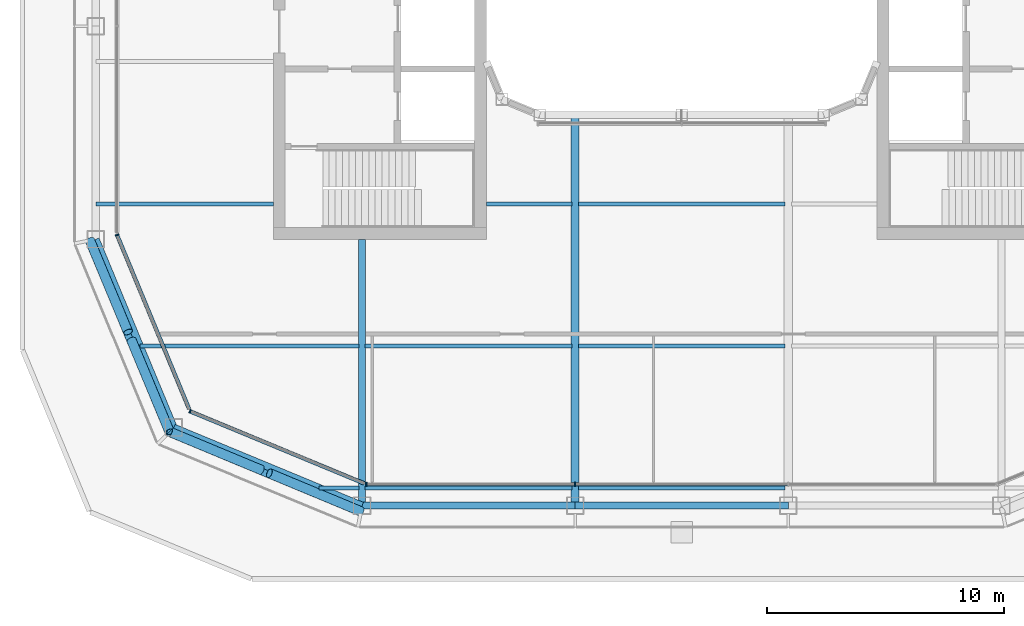
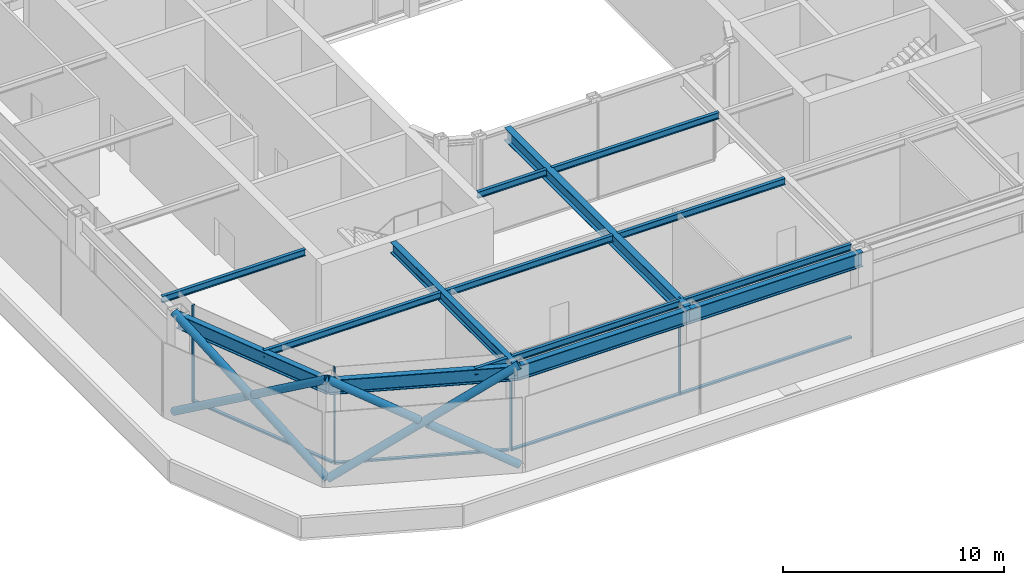
# One storey, part 2 of 17: 15 beams, 14 members, 3 elements without a shape of their own.
"""IFC4 building model written with IfcOpenShell, lengths in metres."""

import ifcopenshell
import ifcopenshell.guid

model = None  # the IFC model being written
_history = None  # IfcOwnerHistory: only IFC2X3 demands one
_inside = {}  # id of a spatial element -> (the spatial element, [elements in it])
_under = {}  # id of a project, library or spatial element -> (it, [spatial elements below it])
_declared = {}  # id of a project -> (the project, [libraries it declares])
_typed = {}  # id of a type object -> (the type object, [elements of that type])
_made_of = {}  # id of a material, layer set ... -> (it, [elements and type objects made of it])


def new_model(schema):
    """Start an empty IFC model of exactly this schema.

    Asked for "IFC4X3", IfcOpenShell would pick the latest addendum, in which some entities
    have other attributes; the version numbers below select the first issue.
    IFC2X3 requires an IfcOwnerHistory on every rooted entity: one is made here for all.
    """
    global model, _history
    if schema == "IFC4X3":
        model = ifcopenshell.file(schema_version=(4, 3, 0, 0))
    else:
        model = ifcopenshell.file(schema=schema)
    _inside.clear()
    _under.clear()
    _declared.clear()
    _typed.clear()
    _made_of.clear()
    _history = None
    if model.schema == "IFC2X3":
        org = make("IfcOrganization", Name="unknown")
        user = make(
            "IfcPersonAndOrganization",
            ThePerson=make("IfcPerson", FamilyName="unknown"),
            TheOrganization=org,
        )
        app = make(
            "IfcApplication",
            ApplicationDeveloper=org,
            Version="unknown",
            ApplicationFullName="unknown",
            ApplicationIdentifier="unknown",
        )
        _history = make(
            "IfcOwnerHistory",
            OwningUser=user,
            OwningApplication=app,
            ChangeAction="ADDED",
            CreationDate=0,
        )
    return model


def make(cls, **values):
    """One entity of the class cls with the attributes given. An attribute that is None is left unset."""
    return model.create_entity(
        cls, **{name: value for name, value in values.items() if value is not None}
    )


def rooted(cls, **values):
    """An entity with a GlobalId (a new one), such as an element, a storey or a relation."""
    return make(cls, GlobalId=ifcopenshell.guid.new(), OwnerHistory=_history, **values)


def si_unit(unit_type, name, prefix=None):
    """IfcSIUnit, for example si_unit("LENGTHUNIT", "METRE", prefix="MILLI")."""
    return make("IfcSIUnit", UnitType=unit_type, Prefix=prefix, Name=name)


def assignment(units):
    """IfcUnitAssignment: the units of a project."""
    return None if units is None else make("IfcUnitAssignment", Units=units)


def point(xyz):
    """IfcCartesianPoint."""
    return None if xyz is None else make("IfcCartesianPoint", Coordinates=xyz)


def direction(xyz):
    """IfcDirection."""
    return None if xyz is None else make("IfcDirection", DirectionRatios=xyz)


def frame(location, z_axis=None, x_axis=None):
    """IfcAxis2Placement3D, a coordinate frame: its origin and axes. An axis left out is left unset."""
    return make(
        "IfcAxis2Placement3D",
        Location=point(location),
        Axis=direction(z_axis),
        RefDirection=direction(x_axis),
    )


def frame_2d(location, x_axis=None):
    """IfcAxis2Placement2D, a coordinate frame in the plane: its origin and x axis."""
    return make(
        "IfcAxis2Placement2D", Location=point(location), RefDirection=direction(x_axis)
    )


def origin():
    """The frame at (0, 0, 0) with its axes left unset."""
    return frame((0.0, 0.0, 0.0))


def origin_2d():
    """The frame at (0, 0) in the plane with its x axis left unset."""
    return frame_2d((0.0, 0.0))


def place(relative_to, where):
    """IfcLocalPlacement: puts the frame where relative to a parent placement (None: the world)."""
    return make(
        "IfcLocalPlacement", PlacementRelTo=relative_to, RelativePlacement=where
    )


def context(
    kind, dimensions, precision=None, world=None, true_north=None, identifier=None
):
    """IfcGeometricRepresentationContext, for example the 3D "Model" context."""
    return make(
        "IfcGeometricRepresentationContext",
        ContextIdentifier=identifier,
        ContextType=kind,
        CoordinateSpaceDimension=dimensions,
        Precision=precision,
        WorldCoordinateSystem=world,
        TrueNorth=true_north,
    )


def subcontext(parent, identifier, kind, view, scale=None):
    """IfcGeometricRepresentationSubContext, for example "Body" below "Model"."""
    return make(
        "IfcGeometricRepresentationSubContext",
        ContextIdentifier=identifier,
        ContextType=kind,
        ParentContext=parent,
        TargetScale=scale,
        TargetView=view,
    )


def project(units=None, contexts=None):
    """IfcProject with its units and contexts."""
    return rooted(
        "IfcProject",
        Name="project",
        RepresentationContexts=contexts,
        UnitsInContext=assignment(units),
    )


def spatial(cls, under=None, at=None, **own):
    """A site, building, storey or space (cls), placed at a placement, below another one or the project."""
    s = rooted(cls, ObjectPlacement=at, **own)
    if under is not None:
        _under.setdefault(under.id(), (under, []))[1].append(s)
    return s


def profile(cls, at=None, kind="AREA", **sizes):
    """A parametric profile (cls). Its sizes go by their IFC names, for example OverallWidth=200.0."""
    return make(cls, ProfileType=kind, Position=at, **sizes)


def rectangle(**sizes):
    """IfcRectangleProfileDef."""
    return profile("IfcRectangleProfileDef", **sizes)


def hollow_circle(**sizes):
    """IfcCircleHollowProfileDef."""
    return profile("IfcCircleHollowProfileDef", **sizes)


def i_section(**sizes):
    """IfcIShapeProfileDef."""
    return profile("IfcIShapeProfileDef", **sizes)


def extrude(swept, where, along, depth):
    """IfcExtrudedAreaSolid: the profile swept, set in the frame where, extruded along a direction by depth."""
    return make(
        "IfcExtrudedAreaSolid",
        SweptArea=swept,
        Position=where,
        ExtrudedDirection=direction(along),
        Depth=depth,
    )


def shape(context_of_items, identifier, shape_type, items):
    """IfcShapeRepresentation: the items that make up one representation, for example the "Body"."""
    return make(
        "IfcShapeRepresentation",
        ContextOfItems=context_of_items,
        RepresentationIdentifier=identifier,
        RepresentationType=shape_type,
        Items=items,
    )


def material(Name=None, Category=None):
    """IfcMaterial."""
    return make("IfcMaterial", Name=Name, Category=Category)


def layer(
    of_material, thickness, ventilated=None, Name=None, Category=None, Priority=None
):
    """IfcMaterialLayer: one layer of a wall or slab, of a material (None: an air gap)."""
    return make(
        "IfcMaterialLayer",
        Material=of_material,
        LayerThickness=thickness,
        IsVentilated=ventilated,
        Name=Name,
        Category=Category,
        Priority=Priority,
    )


def layer_set(layers, Name=None):
    """IfcMaterialLayerSet."""
    return make("IfcMaterialLayerSet", MaterialLayers=layers, LayerSetName=Name)


def material_profile(
    of_material, cross_section, Name=None, Category=None, Priority=None
):
    """IfcMaterialProfile: a cross section and its material."""
    return make(
        "IfcMaterialProfile",
        Name=Name,
        Material=of_material,
        Profile=cross_section,
        Priority=Priority,
        Category=Category,
    )


def profile_set(profiles, Name=None, composite=None):
    """IfcMaterialProfileSet."""
    return make(
        "IfcMaterialProfileSet",
        Name=Name,
        MaterialProfiles=profiles,
        CompositeProfile=composite,
    )


def made_of(thing, what):
    """Note that an element or type object is made of a material, layer set ...; save() writes the relation."""
    if what is not None:
        _made_of.setdefault(what.id(), (what, []))[1].append(thing)
    return thing


def type_object(cls, material=None, **own):
    """A type object (cls), such as IfcWallType, which elements share."""
    return made_of(rooted(cls, **own), material)


def element(
    cls,
    number,
    at=None,
    inside=None,
    cuts=None,
    type_object=None,
    material=None,
    context=None,
    identifier="Body",
    shape_type=None,
    held_by="IfcProductDefinitionShape",
    body=None,
    shapes=None,
    **own,
):
    """One element of the class cls, such as IfcWall. Its Tag is "e" and its number.

    at: its placement. inside: the storey or other place that contains it. cuts: it is an
    opening in that element (IfcRelVoidsElement). A single representation is given by context,
    identifier, shape_type and body (its items); several are given by shapes. held_by: the class
    of the entity that holds the representations. save() writes the other relations.
    """
    e = rooted(cls, Tag="e%d" % number, ObjectPlacement=at, **own)
    if body is not None:
        shapes = [shape(context, identifier, shape_type, body)]
    if shapes is not None:
        e.Representation = make(held_by, Representations=shapes)
    if inside is not None:
        _inside.setdefault(inside.id(), (inside, []))[1].append(e)
    if cuts is not None:
        rooted(
            "IfcRelVoidsElement", RelatingBuildingElement=cuts, RelatedOpeningElement=e
        )
    if type_object is not None:
        _typed.setdefault(type_object.id(), (type_object, []))[1].append(e)
    return made_of(e, material)


def aggregate(whole, parts):
    """IfcRelAggregates: a whole, such as a stair, and the parts it consists of."""
    return rooted("IfcRelAggregates", RelatingObject=whole, RelatedObjects=parts)


def save(model, path):
    """Write the relations noted so far, then the file.

    IfcRelAggregates (storeys below a building ...), IfcRelContainedInSpatialStructure (elements
    in a storey), IfcRelDefinesByType, IfcRelAssociatesMaterial and IfcRelDeclares: one each for
    every whole, place, type object, material and project.
    """
    for whole, parts in _under.values():
        aggregate(whole, parts)
    for where, things in _inside.values():
        rooted(
            "IfcRelContainedInSpatialStructure",
            RelatedElements=things,
            RelatingStructure=where,
        )
    for kind, things in _typed.values():
        rooted("IfcRelDefinesByType", RelatedObjects=things, RelatingType=kind)
    for what, things in _made_of.values():
        rooted("IfcRelAssociatesMaterial", RelatedObjects=things, RelatingMaterial=what)
    for by, libraries in _declared.values():
        rooted("IfcRelDeclares", RelatingContext=by, RelatedDefinitions=libraries)
    model.write(path)


model = new_model("IFC4")

# Units and contexts
model_context = context("Model", 3, precision=1e-05, world=origin(), true_north=direction((0.0, 1.0)))
body_context = subcontext(model_context, "Body", "Model", "MODEL_VIEW")
ifc_project = project(units=[si_unit("LENGTHUNIT", "METRE"), si_unit("AREAUNIT", "SQUARE_METRE"), si_unit("VOLUMEUNIT", "CUBIC_METRE"), si_unit("PLANEANGLEUNIT", "RADIAN"), si_unit("MASSUNIT", "GRAM", prefix="KILO")], contexts=[model_context])

# Site, building, storey
site_placement = place(None, origin())
site = spatial("IfcSite", under=ifc_project, at=site_placement, CompositionType="ELEMENT")
building_placement = place(site_placement, origin())
building = spatial("IfcBuilding", under=site, at=building_placement, Name="Siwar Civic Tower", CompositionType="ELEMENT")
storey_placement = place(building_placement, frame((0.0, 0.0, 284.199951171875)))
storey = spatial("IfcBuildingStorey", under=building, at=storey_placement, Name="L61", CompositionType="ELEMENT", Elevation=284.199951171875)

# Curtain wall, members
ifc_material_1 = material(Name="Aluminium and glass", Category="aluminium")
ifc_layer_1 = layer(ifc_material_1, 0.159912109375)
ifc_layer_set_1 = layer_set([ifc_layer_1], Name="Aluminium and glass")
curtain_wall_type_1 = type_object("IfcCurtainWallType", Name="ENV-CW-D", PredefinedType="NOTDEFINED", material=ifc_layer_set_1)
curtain_wall_1_placement = place(storey_placement, origin())
curtain_wall_1 = element("IfcCurtainWall", 1, at=curtain_wall_1_placement, inside=storey, type_object=curtain_wall_type_1, Name="Curtain wall D S", PredefinedType="NOTDEFINED")
ifc_material_2 = material(Name="Aluminium 6063-T6", Category="aluminium")
ifc_material_profile_1 = material_profile(ifc_material_2, rectangle(XDim=0.159912109375, YDim=0.06005859375, at=origin_2d()), Name="AL 160x60")
ifc_profile_set_1 = profile_set([ifc_material_profile_1], Name="Aluminium 6063-T6")
member_type_1 = type_object("IfcMemberType", Name="ENV-MULLION-D", PredefinedType="MULLION", material=ifc_profile_set_1)
member_1_placement = place(storey_placement, frame((-13.321044921875, -23.85009765625, 0.0), z_axis=(0.0, 0.0, 1.0), x_axis=(0.0, 1.0, 0.0)))
member_1 = element("IfcMember", 2, at=member_1_placement, type_object=member_type_1, Name="Mullion D S 1", PredefinedType="MULLION", context=body_context, shape_type="SweptSolid", body=[
    extrude(rectangle(XDim=0.159912109375, YDim=0.06005859375, at=origin_2d()), origin(), (0.0, 0.0, 1.0), 5.35009765625),
])
member_2_placement = place(storey_placement, frame((-4.5, -23.85009765625, 0.0), z_axis=(0.0, 0.0, 1.0), x_axis=(0.0, 1.0, 0.0)))
member_2 = element("IfcMember", 3, at=member_2_placement, type_object=member_type_1, Name="Mullion D S 2", PredefinedType="MULLION", context=body_context, shape_type="SweptSolid", body=[
    extrude(rectangle(XDim=0.159912109375, YDim=0.06005859375, at=origin_2d()), origin(), (0.0, 0.0, 1.0), 5.35009765625),
])

# Curtain wall, member
ifc_material_3 = material(Name="Aluminium clad insulated panel", Category="aluminium")
ifc_layer_2 = layer(ifc_material_3, 0.159912109375)
ifc_layer_set_2 = layer_set([ifc_layer_2], Name="Aluminium clad insulated panel")
curtain_wall_type_2 = type_object("IfcCurtainWallType", Name="ENV-CW-DX", PredefinedType="NOTDEFINED", material=ifc_layer_set_2)
curtain_wall_2_placement = place(storey_placement, origin())
curtain_wall_2 = element("IfcCurtainWall", 4, at=curtain_wall_2_placement, inside=storey, type_object=curtain_wall_type_2, Name="Curtain wall D SW1", PredefinedType="NOTDEFINED")
member_3_placement = place(storey_placement, frame((-23.85009765625, -13.321044921875, 0.0), z_axis=(0.0, 0.0, 1.0), x_axis=(0.923879532511, 0.382683432365, 0.0)))
member_3 = element("IfcMember", 5, at=member_3_placement, type_object=member_type_1, Name="Mullion D SW1 1", PredefinedType="MULLION", context=body_context, shape_type="SweptSolid", body=[
    extrude(rectangle(XDim=0.159912109375, YDim=0.06005859375, at=origin_2d()), origin(), (0.0, 0.0, 1.0), 5.35009765625),
])

curtain_wall_3_placement = place(storey_placement, origin())
curtain_wall_3 = element("IfcCurtainWall", 6, at=curtain_wall_3_placement, inside=storey, type_object=curtain_wall_type_2, Name="Curtain wall D SW2", PredefinedType="NOTDEFINED")
member_4_placement = place(storey_placement, frame((-20.76611328125, -20.76611328125, 0.0), z_axis=(0.0, 0.0, 1.0), x_axis=(0.382683432365, 0.923879532511, 0.0)))
member_4 = element("IfcMember", 7, at=member_4_placement, type_object=member_type_1, Name="Mullion D SW2 1", PredefinedType="MULLION", context=body_context, shape_type="SweptSolid", body=[
    extrude(rectangle(XDim=0.159912109375, YDim=0.06005859375, at=origin_2d()), origin(), (0.0, 0.0, 1.0), 5.35009765625),
])

# Member
ifc_material_4 = material(Name="Aluminium 6063-T6", Category="aluminium")
ifc_material_profile_2 = material_profile(ifc_material_4, rectangle(XDim=0.159912109375, YDim=0.10009765625, at=origin_2d()), Name="AL 160x100")
ifc_profile_set_2 = profile_set([ifc_material_profile_2], Name="Aluminium 6063-T6")
member_type_2 = type_object("IfcMemberType", Name="ENV-TRANSOM-D", PredefinedType="USERDEFINED", material=ifc_profile_set_2)
member_5_placement = place(storey_placement, frame((-13.291015625, -23.85009765625, 0.050048828125), z_axis=(1.0, 0.0, 0.0), x_axis=(0.0, 1.0, 0.0)))
member_5 = element("IfcMember", 8, at=member_5_placement, type_object=member_type_2, Name="Transom D S 1", ObjectType="TRANSOM", PredefinedType="USERDEFINED", context=body_context, shape_type="SweptSolid", body=[
    extrude(rectangle(XDim=0.159912109375, YDim=0.10009765625, at=origin_2d()), origin(), (0.0, 0.0, 1.0), 8.760986328125),
])

member_6_placement = place(storey_placement, frame((-4.469970703125, -23.85009765625, 0.050048828125), z_axis=(1.0, 0.0, 0.0), x_axis=(0.0, 1.0, 0.0)))
member_6 = element("IfcMember", 9, at=member_6_placement, type_object=member_type_2, Name="Transom D S 2", ObjectType="TRANSOM", PredefinedType="USERDEFINED", context=body_context, shape_type="SweptSolid", body=[
    extrude(rectangle(XDim=0.159912109375, YDim=0.10009765625, at=origin_2d()), origin(), (0.0, 0.0, 1.0), 8.93994140625),
])

aggregate(curtain_wall_1, [member_1, member_2, member_5, member_6])

member_7_placement = place(storey_placement, frame((-23.838623046875, -13.3486328125, 0.050048828125), z_axis=(0.382699790424, -0.923872756612, 0.0), x_axis=(0.923872756612, 0.382699790424, 0.0)))
member_7 = element("IfcMember", 10, at=member_7_placement, type_object=member_type_2, Name="Transom D SW1 1", ObjectType="TRANSOM", PredefinedType="USERDEFINED", context=body_context, shape_type="SweptSolid", body=[
    extrude(rectangle(XDim=0.159912109375, YDim=0.10009765625, at=origin_2d()), origin(), (0.0, 0.0, 1.0), 7.930908203125),
])

aggregate(curtain_wall_2, [member_3, member_7])

member_8_placement = place(storey_placement, frame((-20.738525390625, -20.777587890625, 0.050048828125), z_axis=(0.923883640343, -0.382673515031, 0.0), x_axis=(0.382673515031, 0.923883640343, 0.0)))
member_8 = element("IfcMember", 11, at=member_8_placement, type_object=member_type_2, Name="Transom D SW2 1", ObjectType="TRANSOM", PredefinedType="USERDEFINED", context=body_context, shape_type="SweptSolid", body=[
    extrude(rectangle(XDim=0.159912109375, YDim=0.10009765625, at=origin_2d()), origin(), (0.0, 0.0, 1.0), 7.930908203125),
])

aggregate(curtain_wall_3, [member_4, member_8])

# Members
ifc_material_5 = material(Name="Steel S355", Category="steel")
ifc_material_profile_3 = material_profile(ifc_material_5, hollow_circle(Radius=0.203125, WallThickness=0.01611328125, at=origin_2d()), Name="CHS406.4x16")
ifc_profile_set_3 = profile_set([ifc_material_profile_3], Name="Steel S355")
member_type_3 = type_object("IfcMemberType", Name="STR-BR-CHS406.4x16", PredefinedType="BRACE", material=ifc_profile_set_3)
member_9_placement = place(storey_placement, frame((-21.6318359375, -21.6318359375, 0.0), z_axis=(0.781791416726, -0.325297769627, 0.531961974025), x_axis=(0.384163874976, 0.923264922524, 0.0)))
element("IfcMember", 12, at=member_9_placement, inside=storey, type_object=member_type_3, Name="L61/brc/DSW1-0-0-1", PredefinedType="BRACE", context=body_context, shape_type="SweptSolid", body=[
    extrude(hollow_circle(Radius=0.203125, WallThickness=0.01611328125, at=origin_2d()), origin(), (0.0, 0.0, 1.0), 10.339111328125),
])
for number, where, z_axis, x_axis, name in (
    (13, (-13.548828125, -24.9951171875, 0.0), (-0.78176721637, 0.325296461459, 0.53199833794), (-0.38417269508, -0.923261252493, 0.0), "L61/brc/DSW1-0-0-2"),
    (14, (-17.7626953125, -23.24169921875, 2.867431640625), (-0.781806913569, 0.325292452554, 0.531942450089), (-0.384152031417, -0.923269850454, 0.0), "L61/brc/DSW1-0-0-3"),
):
    element("IfcMember", number, at=place(storey_placement, frame(where, z_axis=z_axis, x_axis=x_axis)), inside=storey, type_object=member_type_3, Name=name, PredefinedType="BRACE", context=body_context, shape_type="SweptSolid", body=[
        extrude(hollow_circle(Radius=0.203125, WallThickness=0.01611328125, at=origin_2d()), origin(), (0.0, 0.0, 1.0), 4.948974609375),
    ])
member_10_placement = place(storey_placement, frame((-21.6318359375, -21.6318359375, 0.0), z_axis=(-0.325297769627, 0.781791416726, 0.531961974025), x_axis=(-0.923264922524, -0.384163874976, 0.0)))
element("IfcMember", 15, at=member_10_placement, inside=storey, type_object=member_type_3, Name="L61/brc/DSW1-0-0-0", PredefinedType="BRACE", context=body_context, shape_type="SweptSolid", body=[
    extrude(hollow_circle(Radius=0.203125, WallThickness=0.01611328125, at=origin_2d()), origin(), (0.0, 0.0, 1.0), 10.339111328125),
])
for number, where, z_axis, x_axis, name in (
    (16, (-24.9951171875, -13.548828125, 0.0), (0.325296461459, -0.78176721637, 0.53199833794), (0.923261252493, 0.38417269508, 0.0), "L61/brc/DSW1-0-0-4"),
    (17, (-23.24169921875, -17.7626953125, 2.867431640625), (0.325292452554, -0.781806913569, 0.531942450089), (0.923269850454, 0.384152031417, 0.0), "L61/brc/DSW1-0-0-5"),
):
    element("IfcMember", number, at=place(storey_placement, frame(where, z_axis=z_axis, x_axis=x_axis)), inside=storey, type_object=member_type_3, Name=name, PredefinedType="BRACE", context=body_context, shape_type="SweptSolid", body=[
        extrude(hollow_circle(Radius=0.203125, WallThickness=0.01611328125, at=origin_2d()), origin(), (0.0, 0.0, 1.0), 4.948974609375),
    ])

# Beams
ifc_material_6 = material(Name="Steel S355", Category="steel")
ifc_material_profile_4 = material_profile(ifc_material_6, i_section(OverallWidth=0.169921875, OverallDepth=0.360107421875, WebThickness=0.008056640625, FlangeThickness=0.0126953125, FilletRadius=0.01806640625, at=origin_2d()), Name="IPE360")
ifc_profile_set_4 = profile_set([ifc_material_profile_4], Name="Steel S355")
beam_type_1 = type_object("IfcBeamType", Name="STR-FB-IPE360", PredefinedType="JOIST", material=ifc_profile_set_4)
beam_1_placement = place(storey_placement, frame((-15.310546875, -24.0, 5.170166015625), z_axis=(1.0, 0.0, 0.0), x_axis=(0.0, 1.0, 0.0)))
element("IfcBeam", 18, at=beam_1_placement, inside=storey, type_object=beam_type_1, Name="L61/bm/F001", PredefinedType="JOIST", context=body_context, shape_type="SweptSolid", body=[
    extrude(i_section(OverallWidth=0.169921875, OverallDepth=0.360107421875, WebThickness=0.008056640625, FlangeThickness=0.0126953125, FilletRadius=0.01806640625, at=origin_2d()), origin(), (0.0, 0.0, 1.0), 1.6806640625),
])
for number, where, z_axis, x_axis, name in (
    (19, (-13.3701171875, -24.0, 5.170166015625), (1.0, 0.0, 0.0), (0.0, 1.0, 0.0), "L61/bm/F002"),
    (20, (-4.3701171875, -24.0, 5.170166015625), (1.0, 0.0, 0.0), (0.0, 1.0, 0.0), "L61/bm/F003"),
):
    element("IfcBeam", number, at=place(storey_placement, frame(where, z_axis=z_axis, x_axis=x_axis)), inside=storey, type_object=beam_type_1, Name=name, PredefinedType="JOIST", context=body_context, shape_type="SweptSolid", body=[
        extrude(i_section(OverallWidth=0.169921875, OverallDepth=0.360107421875, WebThickness=0.008056640625, FlangeThickness=0.0126953125, FilletRadius=0.01806640625, at=origin_2d()), origin(), (0.0, 0.0, 1.0), 8.740234375),
    ])
beam_2_placement = place(storey_placement, frame((-22.885986328125, -18.0, 5.170166015625), z_axis=(1.0, 0.0, 0.0), x_axis=(0.0, 1.0, 0.0)))
element("IfcBeam", 21, at=beam_2_placement, inside=storey, type_object=beam_type_1, Name="L61/bm/F006", PredefinedType="JOIST", context=body_context, shape_type="SweptSolid", body=[
    extrude(i_section(OverallWidth=0.169921875, OverallDepth=0.360107421875, WebThickness=0.008056640625, FlangeThickness=0.0126953125, FilletRadius=0.01806640625, at=origin_2d()), origin(), (0.0, 0.0, 1.0), 9.256103515625),
])
for number, where, z_axis, x_axis, name in (
    (22, (-13.3701171875, -18.0, 5.170166015625), (1.0, 0.0, 0.0), (0.0, 1.0, 0.0), "L61/bm/F007"),
    (23, (-4.3701171875, -18.0, 5.170166015625), (1.0, 0.0, 0.0), (0.0, 1.0, 0.0), "L61/bm/F008"),
):
    element("IfcBeam", number, at=place(storey_placement, frame(where, z_axis=z_axis, x_axis=x_axis)), inside=storey, type_object=beam_type_1, Name=name, PredefinedType="JOIST", context=body_context, shape_type="SweptSolid", body=[
        extrude(i_section(OverallWidth=0.169921875, OverallDepth=0.360107421875, WebThickness=0.008056640625, FlangeThickness=0.0126953125, FilletRadius=0.01806640625, at=origin_2d()), origin(), (0.0, 0.0, 1.0), 8.740234375),
    ])
beam_3_placement = place(storey_placement, frame((-24.75, -12.0, 5.170166015625), z_axis=(1.0, 0.0, 0.0), x_axis=(0.0, 1.0, 0.0)))
element("IfcBeam", 24, at=beam_3_placement, inside=storey, type_object=beam_type_1, Name="L61/bm/F011", PredefinedType="JOIST", context=body_context, shape_type="SweptSolid", body=[
    extrude(i_section(OverallWidth=0.169921875, OverallDepth=0.360107421875, WebThickness=0.008056640625, FlangeThickness=0.0126953125, FilletRadius=0.01806640625, at=origin_2d()), origin(), (0.0, 0.0, 1.0), 7.5),
])
beam_4_placement = place(storey_placement, frame((-8.25, -12.0, 5.170166015625), z_axis=(1.0, 0.0, 0.0), x_axis=(0.0, 1.0, 0.0)))
element("IfcBeam", 25, at=beam_4_placement, inside=storey, type_object=beam_type_1, Name="L61/bm/F012", PredefinedType="JOIST", context=body_context, shape_type="SweptSolid", body=[
    extrude(i_section(OverallWidth=0.169921875, OverallDepth=0.360107421875, WebThickness=0.008056640625, FlangeThickness=0.0126953125, FilletRadius=0.01806640625, at=origin_2d()), origin(), (0.0, 0.0, 1.0), 3.6201171875),
])
beam_5_placement = place(storey_placement, frame((-4.3701171875, -12.0, 5.170166015625), z_axis=(1.0, 0.0, 0.0), x_axis=(0.0, 1.0, 0.0)))
element("IfcBeam", 26, at=beam_5_placement, inside=storey, type_object=beam_type_1, Name="L61/bm/F013", PredefinedType="JOIST", context=body_context, shape_type="SweptSolid", body=[
    extrude(i_section(OverallWidth=0.169921875, OverallDepth=0.360107421875, WebThickness=0.008056640625, FlangeThickness=0.0126953125, FilletRadius=0.01806640625, at=origin_2d()), origin(), (0.0, 0.0, 1.0), 8.740234375),
])
ifc_material_7 = material(Name="Steel S355", Category="steel")
ifc_material_profile_5 = material_profile(ifc_material_7, i_section(OverallWidth=0.300048828125, OverallDepth=0.60009765625, WebThickness=0.015380859375, FlangeThickness=0.030029296875, FilletRadius=0.027099609375, at=origin_2d()), Name="HEB600")
ifc_profile_set_5 = profile_set([ifc_material_profile_5], Name="Steel S355")
beam_type_2 = type_object("IfcBeamType", Name="STR-PG-HEB600", PredefinedType="BEAM", material=ifc_profile_set_5)
beam_6_placement = place(storey_placement, frame((-13.5, -24.75, 5.050048828125), z_axis=(0.0, 1.0, 0.0), x_axis=(-1.0, 0.0, 0.0)))
element("IfcBeam", 27, at=beam_6_placement, inside=storey, type_object=beam_type_2, Name="L61/bm/G01", PredefinedType="BEAM", context=body_context, shape_type="SweptSolid", body=[
    extrude(i_section(OverallWidth=0.300048828125, OverallDepth=0.60009765625, WebThickness=0.015380859375, FlangeThickness=0.030029296875, FilletRadius=0.027099609375, at=origin_2d()), origin(), (0.0, 0.0, 1.0), 11.25),
])
ifc_material_8 = material(Name="Steel S355", Category="steel")
ifc_material_profile_6 = material_profile(ifc_material_8, i_section(OverallWidth=0.340087890625, OverallDepth=0.699951171875, WebThickness=0.013916015625, FlangeThickness=0.030029296875, at=origin_2d()), Name="PG700x340x14x30")
ifc_profile_set_6 = profile_set([ifc_material_profile_6], Name="Steel S355")
beam_type_3 = type_object("IfcBeamType", Name="STR-PG-PG700x340x14x30", PredefinedType="BEAM", material=ifc_profile_set_6)
beam_7_placement = place(storey_placement, frame((-4.5, -24.75, 5.0), z_axis=(0.0, 1.0, 0.0), x_axis=(-1.0, 0.0, 0.0)))
element("IfcBeam", 28, at=beam_7_placement, inside=storey, type_object=beam_type_3, Name="L61/bm/G03", PredefinedType="BEAM", context=body_context, shape_type="SweptSolid", body=[
    extrude(i_section(OverallWidth=0.340087890625, OverallDepth=0.699951171875, WebThickness=0.013916015625, FlangeThickness=0.030029296875, at=origin_2d()), origin(), (0.0, 0.0, 1.0), 16.5),
])
ifc_material_9 = material(Name="Steel S355", Category="steel")
ifc_material_profile_7 = material_profile(ifc_material_9, i_section(OverallWidth=0.300048828125, OverallDepth=0.800048828125, WebThickness=0.017578125, FlangeThickness=0.032958984375, FilletRadius=0.030029296875, at=origin_2d()), Name="HEB800")
ifc_profile_set_7 = profile_set([ifc_material_profile_7], Name="Steel S355")
beam_type_4 = type_object("IfcBeamType", Name="STR-SB-HEB800", PredefinedType="BEAM", material=ifc_profile_set_7)
for number, where, z_axis, x_axis, name in (
    (29, (-13.5, -24.75, 4.949951171875), (1.0, 0.0, 0.0), (0.0, 1.0, 0.0), "L61/bm/SS-0"),
    (30, (-4.5, -24.75, 4.949951171875), (1.0, 0.0, 0.0), (0.0, 1.0, 0.0), "L61/bm/SS-1"),
):
    element("IfcBeam", number, at=place(storey_placement, frame(where, z_axis=z_axis, x_axis=x_axis)), inside=storey, type_object=beam_type_4, Name=name, PredefinedType="BEAM", context=body_context, shape_type="SweptSolid", body=[
        extrude(i_section(OverallWidth=0.300048828125, OverallDepth=0.800048828125, WebThickness=0.017578125, FlangeThickness=0.032958984375, FilletRadius=0.030029296875, at=origin_2d()), origin(), (0.0, 0.0, 1.0), 9.0),
    ])
for number, where, z_axis, x_axis, name in (
    (31, (-24.75, -13.5, 4.949951171875), (0.382699877515, -0.923872720536, 0.0), (0.923872720536, 0.382699877515, 0.0), "L61/bm/SSW1-0"),
    (32, (-21.454833984375, -21.454833984375, 4.949951171875), (0.923872720536, -0.382699877515, 0.0), (0.382699877515, 0.923872720536, 0.0), "L61/bm/SSW2-0"),
):
    element("IfcBeam", number, at=place(storey_placement, frame(where, z_axis=z_axis, x_axis=x_axis)), inside=storey, type_object=beam_type_4, Name=name, PredefinedType="BEAM", context=body_context, shape_type="SweptSolid", body=[
        extrude(i_section(OverallWidth=0.300048828125, OverallDepth=0.800048828125, WebThickness=0.017578125, FlangeThickness=0.032958984375, FilletRadius=0.030029296875, at=origin_2d()), origin(), (0.0, 0.0, 1.0), 8.6103515625),
    ])

save(model, "model.ifc")
